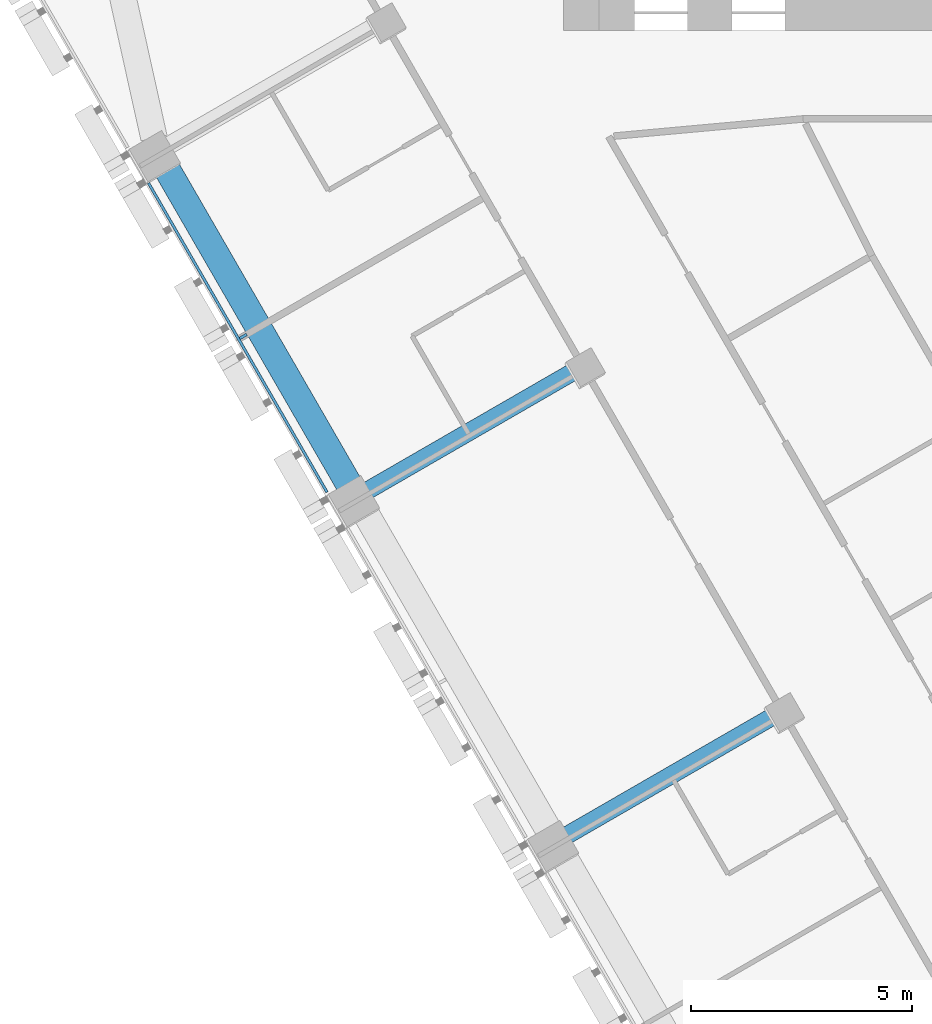
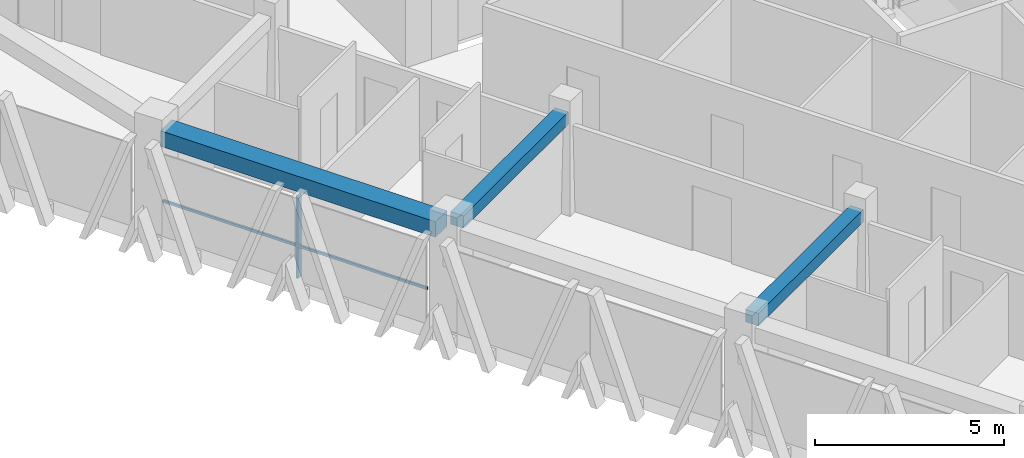
# One storey, part 3 of 16: 3 beams, 2 members, 1 element without a shape of its own.
"""IFC4 building model written with IfcOpenShell, lengths in metres."""

from ifc_helpers import new_model, si_unit, direction, frame, origin, origin_2d, place, context, subcontext, project, spatial, rectangle, extrude, material, layer, layer_set, material_profile, profile_set, type_object, element, aggregate, save


model = new_model("IFC4")

# Units and contexts
model_context = context("Model", 3, precision=1e-05, world=origin(), true_north=direction((0.0, 1.0)))
body_context = subcontext(model_context, "Body", "Model", "MODEL_VIEW")
ifc_project = project(units=[si_unit("LENGTHUNIT", "METRE"), si_unit("AREAUNIT", "SQUARE_METRE"), si_unit("VOLUMEUNIT", "CUBIC_METRE"), si_unit("PLANEANGLEUNIT", "RADIAN"), si_unit("MASSUNIT", "GRAM", prefix="KILO")], contexts=[model_context])

# Site, building, storey
site_placement = place(None, origin())
site = spatial("IfcSite", under=ifc_project, at=site_placement, CompositionType="ELEMENT")
building_placement = place(site_placement, origin())
building = spatial("IfcBuilding", under=site, at=building_placement, Name="Altiplano Prism Tower", CompositionType="ELEMENT")
storey_placement = place(building_placement, frame((0.0, 0.0, 138.60009765625)))
storey = spatial("IfcBuildingStorey", under=building, at=storey_placement, Name="L35", CompositionType="ELEMENT", Elevation=138.60009765625)

# Curtain wall, members
ifc_material_1 = material(Name="Aluminium and glass", Category="aluminium")
ifc_layer = layer(ifc_material_1, 0.280029296875)
ifc_layer_set = layer_set([ifc_layer], Name="Aluminium and glass")
curtain_wall_type = type_object("IfcCurtainWallType", Name="CW1 typical co-living unitised curtain wall", PredefinedType="NOTDEFINED", material=ifc_layer_set)
curtain_wall_placement = place(storey_placement, origin())
curtain_wall = element("IfcCurtainWall", 1, at=curtain_wall_placement, inside=storey, type_object=curtain_wall_type, Name="CW1 curtain wall south-west face L35", PredefinedType="NOTDEFINED")
ifc_material_2 = material(Name="Aluminium", Category="aluminium")
ifc_material_profile_1 = material_profile(ifc_material_2, rectangle(XDim=0.179931640625, YDim=0.06494140625, at=origin_2d()), Name="CW1 mullion 65 x 180")
ifc_profile_set_1 = profile_set([ifc_material_profile_1], Name="Aluminium")
member_type_1 = type_object("IfcMemberType", Name="CW1 mullion 65 x 180", PredefinedType="MULLION", material=ifc_profile_set_1)
member_1_placement = place(storey_placement, frame((64.957763671875, 85.68408203125, 0.0), z_axis=(0.0, 0.0, 1.0), x_axis=(0.866025409553, 0.499999990009, 0.0)))
member_1 = element("IfcMember", 2, at=member_1_placement, type_object=member_type_1, Name="CW1 mullion", PredefinedType="MULLION", context=body_context, shape_type="SweptSolid", body=[
    extrude(rectangle(XDim=0.179931640625, YDim=0.06494140625, at=origin_2d()), origin(), (0.0, 0.0, 1.0), 2.64990234375),
])
ifc_material_profile_2 = material_profile(ifc_material_2, rectangle(XDim=0.06005859375, YDim=0.080078125, at=origin_2d()), Name="CW1 transom 80 x 60")
ifc_profile_set_2 = profile_set([ifc_material_profile_2], Name="Aluminium")
member_type_2 = type_object("IfcMemberType", Name="CW1 transom 80 x 60", PredefinedType="USERDEFINED", material=ifc_profile_set_2)
member_2_placement = place(storey_placement, frame((62.816650390625, 89.152587890625, 1.099853515625), z_axis=(0.500007908628, -0.866020837688, 0.0), x_axis=(0.866020837688, 0.500007908628, 0.0)))
member_2 = element("IfcMember", 3, at=member_2_placement, type_object=member_type_2, Name="CW1 transom", ObjectType="TRANSOM", PredefinedType="USERDEFINED", context=body_context, shape_type="SweptSolid", body=[
    extrude(rectangle(XDim=0.06005859375, YDim=0.080078125, at=origin_2d()), origin(), (0.0, 0.0, 1.0), 8.069580078125),
])
aggregate(curtain_wall, [member_1, member_2])

# Beams
ifc_material_3 = material(Name="Concrete C60/75", Category="concrete")
ifc_material_profile_3 = material_profile(ifc_material_3, rectangle(XDim=0.60009765625, YDim=0.5, at=origin_2d()), Name="Edge beam 600x500")
ifc_profile_set_3 = profile_set([ifc_material_profile_3], Name="Concrete C60/75")
beam_type_1 = type_object("IfcBeamType", Name="Edge beam 600x500", PredefinedType="SPANDREL", material=ifc_profile_set_3)
beam_placement = place(storey_placement, frame((63.165283203125, 89.585693359375, 2.89990234375), z_axis=(0.500010445942, -0.866019372733, 0.0), x_axis=(0.866019372733, 0.500010445942, 0.0)))
element("IfcBeam", 4, at=beam_placement, inside=storey, type_object=beam_type_1, Name="Edge beam P11-P12 L36", PredefinedType="SPANDREL", context=body_context, shape_type="SweptSolid", body=[
    extrude(rectangle(XDim=0.60009765625, YDim=0.5, at=origin_2d()), origin(), (0.0, 0.0, 1.0), 8.389892578125),
])
ifc_material_profile_4 = material_profile(ifc_material_3, rectangle(XDim=0.39990234375, YDim=0.39990234375, at=origin_2d()), Name="Tie beam 400x400")
ifc_profile_set_4 = profile_set([ifc_material_profile_4], Name="Concrete C60/75")
beam_type_2 = type_object("IfcBeamType", Name="Tie beam 400x400", PredefinedType="BEAM", material=ifc_profile_set_4)
for number, where, z_axis, x_axis, name in (
    (5, (72.57470703125, 84.97802734375, 2.949951171875), (-0.866016055733, -0.50001619095, 0.0), (0.50001619095, -0.866016055733, 0.0), "Tie beam I12 L36"),
    (6, (77.07470703125, 77.183837890625, 2.949951171875), (-0.866016055733, -0.50001619095, 0.0), (0.50001619095, -0.866016055733, 0.0), "Tie beam I13 L36"),
):
    element("IfcBeam", number, at=place(storey_placement, frame(where, z_axis=z_axis, x_axis=x_axis)), inside=storey, type_object=beam_type_2, Name=name, PredefinedType="BEAM", context=body_context, shape_type="SweptSolid", body=[
        extrude(rectangle(XDim=0.39990234375, YDim=0.39990234375, at=origin_2d()), origin(), (0.0, 0.0, 1.0), 5.539794921875),
    ])

save(model, "model.ifc")
